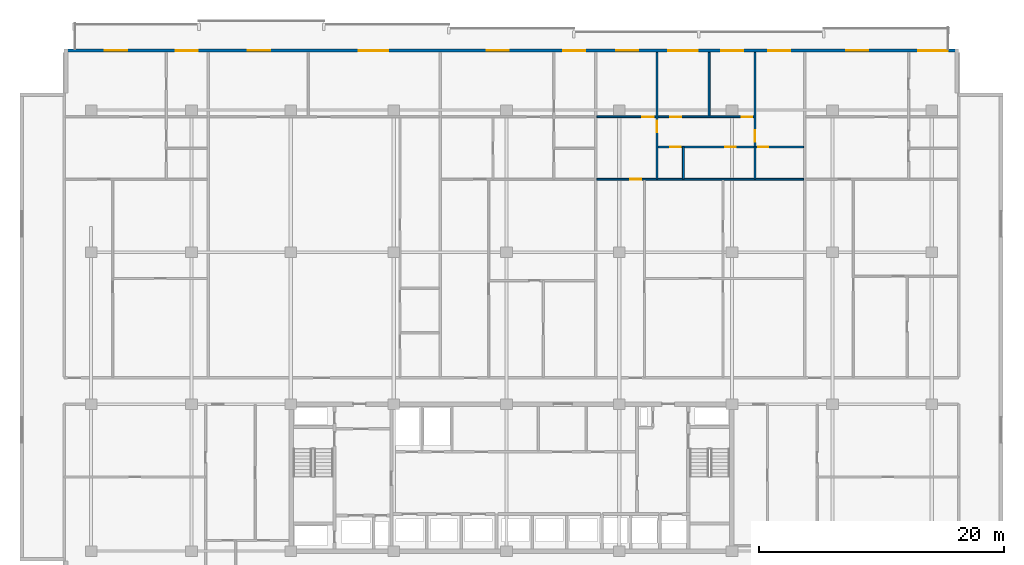
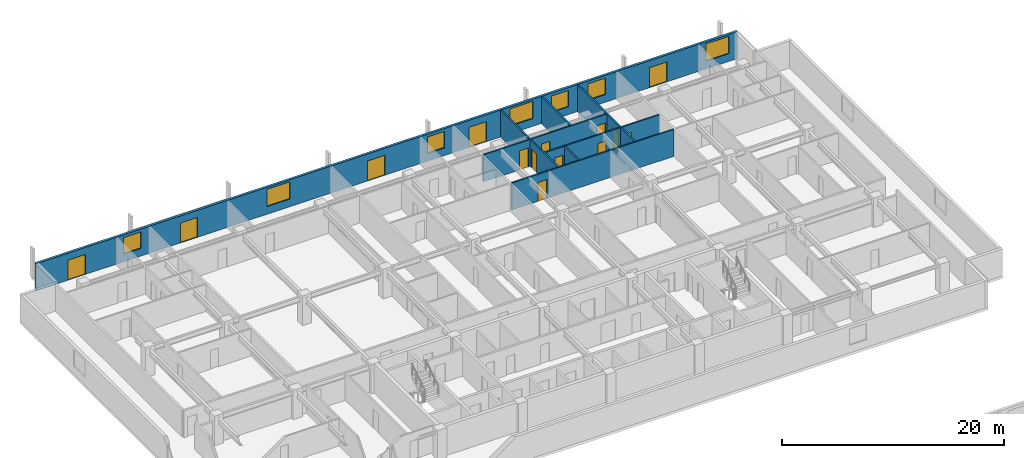
# One storey, part 15 of 22: 14 doors, 9 walls, 7 windows, 21 openings.
"""IFC4 building model written with IfcOpenShell, lengths in metres."""

from ifc_helpers import new_model, si_unit, direction, frame, frame_2d, origin, place, context, subcontext, project, spatial, rectangle, extrude, material, layer, layer_set, type_object, element, fill, save


model = new_model("IFC4")

# Units and contexts
model_context = context("Model", 3, precision=1e-05, world=origin(), true_north=direction((0.0, 1.0)))
body_context = subcontext(model_context, "Body", "Model", "MODEL_VIEW")
ifc_project = project(units=[si_unit("LENGTHUNIT", "METRE"), si_unit("AREAUNIT", "SQUARE_METRE"), si_unit("VOLUMEUNIT", "CUBIC_METRE"), si_unit("PLANEANGLEUNIT", "RADIAN"), si_unit("MASSUNIT", "GRAM", prefix="KILO")], contexts=[model_context])

# Site, building, storey
site_placement = place(None, origin())
site = spatial("IfcSite", under=ifc_project, at=site_placement, CompositionType="ELEMENT")
building_placement = place(site_placement, origin())
building = spatial("IfcBuilding", under=site, at=building_placement, Name="Korimba Cascade Residences", CompositionType="ELEMENT")
storey_placement = place(building_placement, frame((0.0, 0.0, 87.300048828125)))
storey = spatial("IfcBuildingStorey", under=building, at=storey_placement, Name="L24", CompositionType="ELEMENT", Elevation=87.300048828125)

# Wall, openings, doors, windows
ifc_material_1 = material(Name="Precast concrete C40/50", Category="concrete")
ifc_layer_1 = layer(ifc_material_1, 0.25)
ifc_layer_set_1 = layer_set([ifc_layer_1], Name="Precast concrete C40/50")
wall_type_1 = type_object("IfcWallType", Name="EW-LOG-250", PredefinedType="STANDARD", material=ifc_layer_set_1)
wall_1_placement = place(storey_placement, frame((130.60009765625, 96.050048828125, 0.0), z_axis=(0.0, 0.0, 1.0), x_axis=(-1.0, 0.0, 0.0)))
wall_1 = element("IfcWall", 1, at=wall_1_placement, inside=storey, type_object=wall_type_1, Name="L24 T1 Perimeter Stone Wall E06", PredefinedType="STANDARD", context=body_context, shape_type="SweptSolid", body=[
    extrude(rectangle(XDim=73.0, YDim=0.25, at=frame_2d((36.5, 0.0))), origin(), (0.0, 0.0, 1.0), 2.969970703125),
])
opening_1_placement = place(wall_1_placement, frame((67.86669921875, 0.0, 0.0)))
opening_1 = element("IfcOpeningElement", 2, at=opening_1_placement, cuts=wall_1, Name="Opening D-LG1", PredefinedType="OPENING", context=body_context, shape_type="SweptSolid", body=[
    extrude(rectangle(XDim=1.800048828125, YDim=2.199951171875, at=frame_2d((0.89990234375, 1.10009765625))), frame((0.0, 0.135009765625, 0.0), z_axis=(0.0, -1.0, 0.0), x_axis=(1.0, 0.0, 0.0)), (0.0, 0.0, 1.0), 0.27001953125),
])
opening_2_placement = place(wall_1_placement, frame((62.103271484375, 0.0, 0.85009765625)))
opening_2 = element("IfcOpeningElement", 3, at=opening_2_placement, cuts=wall_1, Name="Opening W-02", PredefinedType="OPENING", context=body_context, shape_type="SweptSolid", body=[
    extrude(rectangle(XDim=1.800048828125, YDim=1.800048828125, at=frame_2d((0.89990234375, 0.89990234375))), frame((0.0, 0.135009765625, 0.0), z_axis=(0.0, -1.0, 0.0), x_axis=(1.0, 0.0, 0.0)), (0.0, 0.0, 1.0), 0.27001953125),
])
opening_3_placement = place(wall_1_placement, frame((56.1962890625, 0.0, 0.0)))
opening_3 = element("IfcOpeningElement", 4, at=opening_3_placement, cuts=wall_1, Name="Opening D-LG1", PredefinedType="OPENING", context=body_context, shape_type="SweptSolid", body=[
    extrude(rectangle(XDim=1.800048828125, YDim=2.199951171875, at=frame_2d((0.89990234375, 1.10009765625))), frame((0.0, 0.135009765625, 0.0), z_axis=(0.0, -1.0, 0.0), x_axis=(1.0, 0.0, 0.0)), (0.0, 0.0, 1.0), 0.27001953125),
])
opening_4_placement = place(wall_1_placement, frame((46.557373046875, 0.0, 0.85009765625)))
opening_4 = element("IfcOpeningElement", 5, at=opening_4_placement, cuts=wall_1, Name="Opening W-01", PredefinedType="OPENING", context=body_context, shape_type="SweptSolid", body=[
    extrude(rectangle(XDim=2.39990234375, YDim=1.89990234375, at=frame_2d((1.199951171875, 0.949951171875))), frame((0.0, 0.135009765625, 0.0), z_axis=(0.0, -1.0, 0.0), x_axis=(1.0, 0.0, 0.0)), (0.0, 0.0, 1.0), 0.27001953125),
])
opening_5_placement = place(wall_1_placement, frame((36.714111328125, 0.0, 0.0)))
opening_5 = element("IfcOpeningElement", 6, at=opening_5_placement, cuts=wall_1, Name="Opening D-LG1", PredefinedType="OPENING", context=body_context, shape_type="SweptSolid", body=[
    extrude(rectangle(XDim=1.800048828125, YDim=2.199951171875, at=frame_2d((0.89990234375, 1.10009765625))), frame((0.0, 0.135009765625, 0.0), z_axis=(0.0, -1.0, 0.0), x_axis=(1.0, 0.0, 0.0)), (0.0, 0.0, 1.0), 0.27001953125),
])
opening_6_placement = place(wall_1_placement, frame((30.48291015625, 0.0, 0.85009765625)))
opening_6 = element("IfcOpeningElement", 7, at=opening_6_placement, cuts=wall_1, Name="Opening W-02", PredefinedType="OPENING", context=body_context, shape_type="SweptSolid", body=[
    extrude(rectangle(XDim=1.800048828125, YDim=1.800048828125, at=frame_2d((0.89990234375, 0.89990234375))), frame((0.0, 0.135009765625, 0.0), z_axis=(0.0, -1.0, 0.0), x_axis=(1.0, 0.0, 0.0)), (0.0, 0.0, 1.0), 0.27001953125),
])
opening_7_placement = place(wall_1_placement, frame((21.28955078125, 0.0, 0.85009765625)))
opening_7 = element("IfcOpeningElement", 8, at=opening_7_placement, cuts=wall_1, Name="Opening W-01", PredefinedType="OPENING", context=body_context, shape_type="SweptSolid", body=[
    extrude(rectangle(XDim=2.39990234375, YDim=1.89990234375, at=frame_2d((1.199951171875, 0.949951171875))), frame((0.0, 0.135009765625, 0.0), z_axis=(0.0, -1.0, 0.0), x_axis=(1.0, 0.0, 0.0)), (0.0, 0.0, 1.0), 0.27001953125),
])
opening_8_placement = place(wall_1_placement, frame((17.59326171875, 0.0, 0.85009765625)))
opening_8 = element("IfcOpeningElement", 9, at=opening_8_placement, cuts=wall_1, Name="Opening W-02", PredefinedType="OPENING", context=body_context, shape_type="SweptSolid", body=[
    extrude(rectangle(XDim=1.800048828125, YDim=1.800048828125, at=frame_2d((0.89990234375, 0.89990234375))), frame((0.0, 0.135009765625, 0.0), z_axis=(0.0, -1.0, 0.0), x_axis=(1.0, 0.0, 0.0)), (0.0, 0.0, 1.0), 0.27001953125),
])
opening_9_placement = place(wall_1_placement, frame((26.15283203125, 0.0, 0.0)))
opening_9 = element("IfcOpeningElement", 10, at=opening_9_placement, cuts=wall_1, Name="Opening D-LG1", PredefinedType="OPENING", context=body_context, shape_type="SweptSolid", body=[
    extrude(rectangle(XDim=1.800048828125, YDim=2.199951171875, at=frame_2d((0.89990234375, 1.10009765625))), frame((0.0, 0.135009765625, 0.0), z_axis=(0.0, -1.0, 0.0), x_axis=(1.0, 0.0, 0.0)), (0.0, 0.0, 1.0), 0.27001953125),
])
opening_10_placement = place(wall_1_placement, frame((13.75341796875, 0.0, 0.85009765625)))
opening_10 = element("IfcOpeningElement", 11, at=opening_10_placement, cuts=wall_1, Name="Opening W-02", PredefinedType="OPENING", context=body_context, shape_type="SweptSolid", body=[
    extrude(rectangle(XDim=1.800048828125, YDim=1.800048828125, at=frame_2d((0.89990234375, 0.89990234375))), frame((0.0, 0.135009765625, 0.0), z_axis=(0.0, -1.0, 0.0), x_axis=(1.0, 0.0, 0.0)), (0.0, 0.0, 1.0), 0.27001953125),
])
opening_11_placement = place(wall_1_placement, frame((7.36328125, 0.0, 0.0)))
opening_11 = element("IfcOpeningElement", 12, at=opening_11_placement, cuts=wall_1, Name="Opening D-LG1", PredefinedType="OPENING", context=body_context, shape_type="SweptSolid", body=[
    extrude(rectangle(XDim=1.800048828125, YDim=2.199951171875, at=frame_2d((0.89990234375, 1.10009765625))), frame((0.0, 0.135009765625, 0.0), z_axis=(0.0, -1.0, 0.0), x_axis=(1.0, 0.0, 0.0)), (0.0, 0.0, 1.0), 0.27001953125),
])
opening_12_placement = place(wall_1_placement, frame((0.89990234375, 0.0, 0.85009765625)))
opening_12 = element("IfcOpeningElement", 13, at=opening_12_placement, cuts=wall_1, Name="Opening W-01", PredefinedType="OPENING", context=body_context, shape_type="SweptSolid", body=[
    extrude(rectangle(XDim=2.39990234375, YDim=1.89990234375, at=frame_2d((1.199951171875, 0.949951171875))), frame((0.0, 0.135009765625, 0.0), z_axis=(0.0, -1.0, 0.0), x_axis=(1.0, 0.0, 0.0)), (0.0, 0.0, 1.0), 0.27001953125),
])
ifc_material_2 = material(Name="Glazed Aluminium Loggia Sliding Door", Category="aluminium")
door_type_1 = type_object("IfcDoorType", Name="DR-EXT-LOG", OperationType="NOTDEFINED", PredefinedType="DOOR", material=ifc_material_2)
door_1_placement = place(opening_1_placement, origin())
door_1 = element("IfcDoor", 14, at=door_1_placement, inside=storey, type_object=door_type_1, Name="L24 T1 Loggia Sliding Door 3", OperationType="SLIDING_TO_LEFT", OverallHeight=2.199951171875, OverallWidth=1.800048828125, PredefinedType="DOOR", context=body_context, shape_type="SweptSolid", body=[
    extrude(rectangle(XDim=1.800048828125, YDim=2.199951171875, at=frame_2d((0.89990234375, 1.10009765625))), frame((0.0, 0.02490234375, 0.0), z_axis=(0.0, -1.0, 0.0), x_axis=(1.0, 0.0, 0.0)), (0.0, 0.0, 1.0), 0.050048828125),
])
fill(opening_1, door_1)
door_2_placement = place(opening_3_placement, origin())
door_2 = element("IfcDoor", 15, at=door_2_placement, inside=storey, type_object=door_type_1, Name="L24 T1 Loggia Sliding Door 5", OperationType="SLIDING_TO_LEFT", OverallHeight=2.199951171875, OverallWidth=1.800048828125, PredefinedType="DOOR", context=body_context, shape_type="SweptSolid", body=[
    extrude(rectangle(XDim=1.800048828125, YDim=2.199951171875, at=frame_2d((0.89990234375, 1.10009765625))), frame((0.0, 0.02490234375, 0.0), z_axis=(0.0, -1.0, 0.0), x_axis=(1.0, 0.0, 0.0)), (0.0, 0.0, 1.0), 0.050048828125),
])
fill(opening_3, door_2)
door_3_placement = place(opening_5_placement, origin())
door_3 = element("IfcDoor", 16, at=door_3_placement, inside=storey, type_object=door_type_1, Name="L24 T1 Loggia Sliding Door 7", OperationType="SLIDING_TO_LEFT", OverallHeight=2.199951171875, OverallWidth=1.800048828125, PredefinedType="DOOR", context=body_context, shape_type="SweptSolid", body=[
    extrude(rectangle(XDim=1.800048828125, YDim=2.199951171875, at=frame_2d((0.89990234375, 1.10009765625))), frame((0.0, 0.02490234375, 0.0), z_axis=(0.0, -1.0, 0.0), x_axis=(1.0, 0.0, 0.0)), (0.0, 0.0, 1.0), 0.050048828125),
])
fill(opening_5, door_3)
door_4_placement = place(opening_9_placement, origin())
door_4 = element("IfcDoor", 17, at=door_4_placement, inside=storey, type_object=door_type_1, Name="L24 T1 Loggia Sliding Door 11", OperationType="SLIDING_TO_LEFT", OverallHeight=2.199951171875, OverallWidth=1.800048828125, PredefinedType="DOOR", context=body_context, shape_type="SweptSolid", body=[
    extrude(rectangle(XDim=1.800048828125, YDim=2.199951171875, at=frame_2d((0.89990234375, 1.10009765625))), frame((0.0, 0.02490234375, 0.0), z_axis=(0.0, -1.0, 0.0), x_axis=(1.0, 0.0, 0.0)), (0.0, 0.0, 1.0), 0.050048828125),
])
fill(opening_9, door_4)
door_5_placement = place(opening_11_placement, origin())
door_5 = element("IfcDoor", 18, at=door_5_placement, inside=storey, type_object=door_type_1, Name="L24 T1 Loggia Sliding Door 13", OperationType="SLIDING_TO_LEFT", OverallHeight=2.199951171875, OverallWidth=1.800048828125, PredefinedType="DOOR", context=body_context, shape_type="SweptSolid", body=[
    extrude(rectangle(XDim=1.800048828125, YDim=2.199951171875, at=frame_2d((0.89990234375, 1.10009765625))), frame((0.0, 0.02490234375, 0.0), z_axis=(0.0, -1.0, 0.0), x_axis=(1.0, 0.0, 0.0)), (0.0, 0.0, 1.0), 0.050048828125),
])
fill(opening_11, door_5)
ifc_material_3 = material(Name="Double-Glazed Aluminium Window", Category="aluminium")
window_type_1 = type_object("IfcWindowType", Name="WIN-BED-1800", PartitioningType="SINGLE_PANEL", PredefinedType="WINDOW", material=ifc_material_3)
window_1_placement = place(opening_2_placement, origin())
window_1 = element("IfcWindow", 19, at=window_1_placement, inside=storey, type_object=window_type_1, Name="L24 T1 North Facade Window 4", OverallHeight=1.800048828125, OverallWidth=1.800048828125, PartitioningType="SINGLE_PANEL", PredefinedType="WINDOW", context=body_context, shape_type="SweptSolid", body=[
    extrude(rectangle(XDim=1.800048828125, YDim=1.800048828125, at=frame_2d((0.89990234375, 0.89990234375))), frame((0.0, 0.030029296875, 0.0), z_axis=(0.0, -1.0, 0.0), x_axis=(1.0, 0.0, 0.0)), (0.0, 0.0, 1.0), 0.06005859375),
])
fill(opening_2, window_1)
window_2_placement = place(opening_6_placement, origin())
window_2 = element("IfcWindow", 20, at=window_2_placement, inside=storey, type_object=window_type_1, Name="L24 T1 North Facade Window 8", OverallHeight=1.800048828125, OverallWidth=1.800048828125, PartitioningType="SINGLE_PANEL", PredefinedType="WINDOW", context=body_context, shape_type="SweptSolid", body=[
    extrude(rectangle(XDim=1.800048828125, YDim=1.800048828125, at=frame_2d((0.89990234375, 0.89990234375))), frame((0.0, 0.030029296875, 0.0), z_axis=(0.0, -1.0, 0.0), x_axis=(1.0, 0.0, 0.0)), (0.0, 0.0, 1.0), 0.06005859375),
])
fill(opening_6, window_2)
window_3_placement = place(opening_8_placement, origin())
window_3 = element("IfcWindow", 21, at=window_3_placement, inside=storey, type_object=window_type_1, Name="L24 T1 North Facade Window 10", OverallHeight=1.800048828125, OverallWidth=1.800048828125, PartitioningType="SINGLE_PANEL", PredefinedType="WINDOW", context=body_context, shape_type="SweptSolid", body=[
    extrude(rectangle(XDim=1.800048828125, YDim=1.800048828125, at=frame_2d((0.89990234375, 0.89990234375))), frame((0.0, 0.030029296875, 0.0), z_axis=(0.0, -1.0, 0.0), x_axis=(1.0, 0.0, 0.0)), (0.0, 0.0, 1.0), 0.06005859375),
])
fill(opening_8, window_3)
window_4_placement = place(opening_10_placement, origin())
window_4 = element("IfcWindow", 22, at=window_4_placement, inside=storey, type_object=window_type_1, Name="L24 T1 North Facade Window 12", OverallHeight=1.800048828125, OverallWidth=1.800048828125, PartitioningType="SINGLE_PANEL", PredefinedType="WINDOW", context=body_context, shape_type="SweptSolid", body=[
    extrude(rectangle(XDim=1.800048828125, YDim=1.800048828125, at=frame_2d((0.89990234375, 0.89990234375))), frame((0.0, 0.030029296875, 0.0), z_axis=(0.0, -1.0, 0.0), x_axis=(1.0, 0.0, 0.0)), (0.0, 0.0, 1.0), 0.06005859375),
])
fill(opening_10, window_4)
window_type_2 = type_object("IfcWindowType", Name="WIN-RES-2400", PartitioningType="DOUBLE_PANEL_VERTICAL", PredefinedType="WINDOW", material=ifc_material_3)
window_5_placement = place(opening_4_placement, origin())
window_5 = element("IfcWindow", 23, at=window_5_placement, inside=storey, type_object=window_type_2, Name="L24 T1 North Facade Window 6", OverallHeight=1.89990234375, OverallWidth=2.39990234375, PartitioningType="DOUBLE_PANEL_VERTICAL", PredefinedType="WINDOW", context=body_context, shape_type="SweptSolid", body=[
    extrude(rectangle(XDim=2.39990234375, YDim=1.89990234375, at=frame_2d((1.199951171875, 0.949951171875))), frame((0.0, 0.030029296875, 0.0), z_axis=(0.0, -1.0, 0.0), x_axis=(1.0, 0.0, 0.0)), (0.0, 0.0, 1.0), 0.06005859375),
])
fill(opening_4, window_5)
window_6_placement = place(opening_7_placement, origin())
window_6 = element("IfcWindow", 24, at=window_6_placement, inside=storey, type_object=window_type_2, Name="L24 T1 North Facade Window 9", OverallHeight=1.89990234375, OverallWidth=2.39990234375, PartitioningType="DOUBLE_PANEL_VERTICAL", PredefinedType="WINDOW", context=body_context, shape_type="SweptSolid", body=[
    extrude(rectangle(XDim=2.39990234375, YDim=1.89990234375, at=frame_2d((1.199951171875, 0.949951171875))), frame((0.0, 0.030029296875, 0.0), z_axis=(0.0, -1.0, 0.0), x_axis=(1.0, 0.0, 0.0)), (0.0, 0.0, 1.0), 0.06005859375),
])
fill(opening_7, window_6)
window_7_placement = place(opening_12_placement, origin())
window_7 = element("IfcWindow", 25, at=window_7_placement, inside=storey, type_object=window_type_2, Name="L24 T1 North Facade Window 14", OverallHeight=1.89990234375, OverallWidth=2.39990234375, PartitioningType="DOUBLE_PANEL_VERTICAL", PredefinedType="WINDOW", context=body_context, shape_type="SweptSolid", body=[
    extrude(rectangle(XDim=2.39990234375, YDim=1.89990234375, at=frame_2d((1.199951171875, 0.949951171875))), frame((0.0, 0.030029296875, 0.0), z_axis=(0.0, -1.0, 0.0), x_axis=(1.0, 0.0, 0.0)), (0.0, 0.0, 1.0), 0.06005859375),
])
fill(opening_12, window_7)

# Walls
ifc_material_4 = material(Name="Insulated Acoustic Stud Partition", Category="gypsum")
ifc_layer_2 = layer(ifc_material_4, 0.14990234375)
ifc_layer_set_2 = layer_set([ifc_layer_2], Name="Insulated Acoustic Stud Partition")
wall_type_2 = type_object("IfcWallType", Name="WAL-PART-150", PredefinedType="PARTITIONING", material=ifc_layer_set_2)
wall_2_placement = place(storey_placement, frame((108.13720703125, 85.590087890625, 0.0), z_axis=(0.0, 0.0, 1.0), x_axis=(0.0, 1.0, 0.0)))
element("IfcWall", 26, at=wall_2_placement, inside=storey, type_object=wall_type_2, Name="L24 Partition Wall WAL-L24-T1-U04-VDRS", PredefinedType="PARTITIONING", context=body_context, shape_type="SweptSolid", body=[
    extrude(rectangle(XDim=2.579833984375, YDim=0.14990234375, at=frame_2d((1.2900390625, 0.0))), origin(), (0.0, 0.0, 1.0), 2.969970703125),
])
wall_3_placement = place(storey_placement, frame((110.233642578125, 90.72998046875, 0.0), z_axis=(0.0, 0.0, 1.0), x_axis=(0.0, 1.0, 0.0)))
element("IfcWall", 27, at=wall_3_placement, inside=storey, type_object=wall_type_2, Name="L24 Partition Wall WAL-L24-T1-U04-VSTD", PredefinedType="PARTITIONING", context=body_context, shape_type="SweptSolid", body=[
    extrude(rectangle(XDim=5.169921875, YDim=0.14990234375, at=frame_2d((2.5849609375, 0.0))), origin(), (0.0, 0.0, 1.0), 2.969970703125),
])

# Wall, opening, door
wall_4_placement = place(storey_placement, frame((105.9873046875, 85.590087890625, 0.0), z_axis=(0.0, 0.0, 1.0), x_axis=(0.0, 1.0, 0.0)))
wall_4 = element("IfcWall", 28, at=wall_4_placement, inside=storey, type_object=wall_type_2, Name="L24 Partition Wall WAL-L24-T1-U04-V1", PredefinedType="PARTITIONING", context=body_context, shape_type="SweptSolid", body=[
    extrude(rectangle(XDim=10.309814453125, YDim=0.14990234375, at=frame_2d((5.15478515625, 0.0))), origin(), (0.0, 0.0, 1.0), 2.969970703125),
])
opening_13_placement = place(wall_4_placement, frame((3.820068359375, 0.0, 0.0)))
opening_13 = element("IfcOpeningElement", 29, at=opening_13_placement, cuts=wall_4, Name="Opening D-IN1", PredefinedType="OPENING", context=body_context, shape_type="SweptSolid", body=[
    extrude(rectangle(XDim=0.919921875, YDim=2.080078125, at=frame_2d((0.4599609375, 1.0400390625))), frame((0.0, 0.0849609375, 0.0), z_axis=(0.0, -1.0, 0.0), x_axis=(1.0, 0.0, 0.0)), (0.0, 0.0, 1.0), 0.169921875),
])
ifc_material_5 = material(Name="Acoustic Timber Living Door", Category="wood")
door_type_2 = type_object("IfcDoorType", Name="DR-INT-920", OperationType="NOTDEFINED", PredefinedType="DOOR", material=ifc_material_5)
door_6_placement = place(opening_13_placement, origin())
door_6 = element("IfcDoor", 30, at=door_6_placement, inside=storey, type_object=door_type_2, Name="L24-T1-U04 Hallway Door", OperationType="SINGLE_SWING_RIGHT", OverallHeight=2.080078125, OverallWidth=0.919921875, PredefinedType="DOOR", context=body_context, shape_type="SweptSolid", body=[
    extrude(rectangle(XDim=0.919921875, YDim=2.080078125, at=frame_2d((0.4599609375, 1.0400390625))), frame((0.0, 0.02490234375, 0.0), z_axis=(0.0, -1.0, 0.0), x_axis=(1.0, 0.0, 0.0)), (0.0, 0.0, 1.0), 0.050048828125),
])
fill(opening_13, door_6)

# Wall
wall_5_placement = place(storey_placement, frame((113.97998046875, 85.590087890625, 0.0), z_axis=(0.0, 0.0, 1.0), x_axis=(0.0, 1.0, 0.0)))
element("IfcWall", 31, at=wall_5_placement, inside=storey, type_object=wall_type_2, Name="L24 Partition Wall WAL-L24-T1-U04-VBATH", PredefinedType="PARTITIONING", context=body_context, shape_type="SweptSolid", body=[
    extrude(rectangle(XDim=2.579833984375, YDim=0.14990234375, at=frame_2d((1.2900390625, 0.0))), origin(), (0.0, 0.0, 1.0), 2.969970703125),
])

# Wall, opening, door
wall_6_placement = place(storey_placement, frame((113.97998046875, 88.2099609375, 0.0), z_axis=(0.0, 0.0, 1.0), x_axis=(0.0, 1.0, 0.0)))
wall_6 = element("IfcWall", 32, at=wall_6_placement, inside=storey, type_object=wall_type_2, Name="L24 Partition Wall WAL-L24-T1-U04-V2FULL", PredefinedType="PARTITIONING", context=body_context, shape_type="SweptSolid", body=[
    extrude(rectangle(XDim=7.68994140625, YDim=0.14990234375, at=frame_2d((3.844970703125, 0.0))), origin(), (0.0, 0.0, 1.0), 2.969970703125),
])
opening_14_placement = place(wall_6_placement, frame((0.410400390625, 0.0, 0.0)))
opening_14 = element("IfcOpeningElement", 33, at=opening_14_placement, cuts=wall_6, Name="Opening D-IN1", PredefinedType="OPENING", context=body_context, shape_type="SweptSolid", body=[
    extrude(rectangle(XDim=0.919921875, YDim=2.080078125, at=frame_2d((0.4599609375, 1.0400390625))), frame((0.0, 0.0849609375, 0.0), z_axis=(0.0, -1.0, 0.0), x_axis=(1.0, 0.0, 0.0)), (0.0, 0.0, 1.0), 0.169921875),
])
door_7_placement = place(opening_14_placement, origin())
door_7 = element("IfcDoor", 34, at=door_7_placement, inside=storey, type_object=door_type_2, Name="L24-T1-U04 Master Bedroom Door", OperationType="SINGLE_SWING_LEFT", OverallHeight=2.080078125, OverallWidth=0.919921875, PredefinedType="DOOR", context=body_context, shape_type="SweptSolid", body=[
    extrude(rectangle(XDim=0.919921875, YDim=2.080078125, at=frame_2d((0.4599609375, 1.0400390625))), frame((0.0, 0.02490234375, 0.0), z_axis=(0.0, -1.0, 0.0), x_axis=(1.0, 0.0, 0.0)), (0.0, 0.0, 1.0), 0.050048828125),
])
fill(opening_14, door_7)

# Wall, openings, doors
wall_7_placement = place(storey_placement, frame((106.027099609375, 88.18994140625, 0.0), z_axis=(0.0, 0.0, 1.0), x_axis=(1.0, 0.0, 0.0)))
wall_7 = element("IfcWall", 35, at=wall_7_placement, inside=storey, type_object=wall_type_2, Name="L24 Partition Wall WAL-L24-T1-U04-HWALL", PredefinedType="PARTITIONING", context=body_context, shape_type="SweptSolid", body=[
    extrude(rectangle(XDim=11.92626953125, YDim=0.14990234375, at=frame_2d((5.963134765625, 0.0))), origin(), (0.0, 0.0, 1.0), 2.969970703125),
])
opening_15_placement = place(wall_7_placement, frame((1.050048828125, 0.0, 0.0)))
opening_15 = element("IfcOpeningElement", 36, at=opening_15_placement, cuts=wall_7, Name="Opening D-BT1", PredefinedType="OPENING", context=body_context, shape_type="SweptSolid", body=[
    extrude(rectangle(XDim=0.840087890625, YDim=2.0400390625, at=frame_2d((0.419921875, 1.02001953125))), frame((0.0, 0.0849609375, 0.0), z_axis=(0.0, -1.0, 0.0), x_axis=(1.0, 0.0, 0.0)), (0.0, 0.0, 1.0), 0.169921875),
])
opening_16_placement = place(wall_7_placement, frame((5.543212890625, 0.0, 0.0)))
opening_16 = element("IfcOpeningElement", 37, at=opening_16_placement, cuts=wall_7, Name="Opening D-BT1", PredefinedType="OPENING", context=body_context, shape_type="SweptSolid", body=[
    extrude(rectangle(XDim=0.840087890625, YDim=2.0400390625, at=frame_2d((0.419921875, 1.02001953125))), frame((0.0, 0.0849609375, 0.0), z_axis=(0.0, -1.0, 0.0), x_axis=(1.0, 0.0, 0.0)), (0.0, 0.0, 1.0), 0.169921875),
])
opening_17_placement = place(wall_7_placement, frame((8.202880859375, 0.0, 0.0)))
opening_17 = element("IfcOpeningElement", 38, at=opening_17_placement, cuts=wall_7, Name="Opening D-BT1", PredefinedType="OPENING", context=body_context, shape_type="SweptSolid", body=[
    extrude(rectangle(XDim=0.840087890625, YDim=2.0400390625, at=frame_2d((0.419921875, 1.02001953125))), frame((0.0, 0.0849609375, 0.0), z_axis=(0.0, -1.0, 0.0), x_axis=(1.0, 0.0, 0.0)), (0.0, 0.0, 1.0), 0.169921875),
])
ifc_material_6 = material(Name="Moisture-Resistant Bathroom Timber Door", Category="wood")
door_type_3 = type_object("IfcDoorType", Name="DR-INT-850", OperationType="NOTDEFINED", PredefinedType="DOOR", material=ifc_material_6)
door_8_placement = place(opening_15_placement, origin())
door_8 = element("IfcDoor", 39, at=door_8_placement, inside=storey, type_object=door_type_3, Name="L24-T1-U04 Family Bathroom Door", OperationType="SINGLE_SWING_RIGHT", OverallHeight=2.0400390625, OverallWidth=0.840087890625, PredefinedType="DOOR", context=body_context, shape_type="SweptSolid", body=[
    extrude(rectangle(XDim=0.840087890625, YDim=2.0400390625, at=frame_2d((0.419921875, 1.02001953125))), frame((0.0, 0.02490234375, 0.0), z_axis=(0.0, -1.0, 0.0), x_axis=(1.0, 0.0, 0.0)), (0.0, 0.0, 1.0), 0.050048828125),
])
fill(opening_15, door_8)
door_9_placement = place(opening_16_placement, origin())
door_9 = element("IfcDoor", 40, at=door_9_placement, inside=storey, type_object=door_type_3, Name="L24-T1-U04 Dressing Room Door", OperationType="SINGLE_SWING_LEFT", OverallHeight=2.0400390625, OverallWidth=0.840087890625, PredefinedType="DOOR", context=body_context, shape_type="SweptSolid", body=[
    extrude(rectangle(XDim=0.840087890625, YDim=2.0400390625, at=frame_2d((0.419921875, 1.02001953125))), frame((0.0, 0.02490234375, 0.0), z_axis=(0.0, -1.0, 0.0), x_axis=(1.0, 0.0, 0.0)), (0.0, 0.0, 1.0), 0.050048828125),
])
fill(opening_16, door_9)
door_10_placement = place(opening_17_placement, origin())
door_10 = element("IfcDoor", 41, at=door_10_placement, inside=storey, type_object=door_type_3, Name="L24-T1-U04 En-Suite Door", OperationType="SINGLE_SWING_RIGHT", OverallHeight=2.0400390625, OverallWidth=0.840087890625, PredefinedType="DOOR", context=body_context, shape_type="SweptSolid", body=[
    extrude(rectangle(XDim=0.840087890625, YDim=2.0400390625, at=frame_2d((0.419921875, 1.02001953125))), frame((0.0, 0.02490234375, 0.0), z_axis=(0.0, -1.0, 0.0), x_axis=(1.0, 0.0, 0.0)), (0.0, 0.0, 1.0), 0.050048828125),
])
fill(opening_17, door_10)

# Wall, opening, door
wall_8_placement = place(storey_placement, frame((101.067138671875, 85.550048828125, 0.0), z_axis=(0.0, 0.0, 1.0), x_axis=(1.0, 0.0, 0.0)))
wall_8 = element("IfcWall", 42, at=wall_8_placement, inside=storey, type_object=wall_type_2, Name="L24 Partition Wall WAL-L24-T1-U04-MW", PredefinedType="PARTITIONING", context=body_context, shape_type="SweptSolid", body=[
    extrude(rectangle(XDim=16.88623046875, YDim=0.14990234375, at=frame_2d((8.443115234375, 0.0))), origin(), (0.0, 0.0, 1.0), 2.969970703125),
])
opening_18_placement = place(wall_8_placement, frame((2.719970703125, 0.0, 0.0)))
opening_18 = element("IfcOpeningElement", 43, at=opening_18_placement, cuts=wall_8, Name="Opening D-IN1", PredefinedType="OPENING", context=body_context, shape_type="SweptSolid", body=[
    extrude(rectangle(XDim=0.919921875, YDim=2.080078125, at=frame_2d((0.4599609375, 1.0400390625))), frame((0.0, 0.0849609375, 0.0), z_axis=(0.0, -1.0, 0.0), x_axis=(1.0, 0.0, 0.0)), (0.0, 0.0, 1.0), 0.169921875),
])
door_11_placement = place(opening_18_placement, origin())
door_11 = element("IfcDoor", 44, at=door_11_placement, inside=storey, type_object=door_type_2, Name="L24-T1-U04 Kitchen Door", OperationType="SINGLE_SWING_LEFT", OverallHeight=2.080078125, OverallWidth=0.919921875, PredefinedType="DOOR", context=body_context, shape_type="SweptSolid", body=[
    extrude(rectangle(XDim=0.919921875, YDim=2.080078125, at=frame_2d((0.4599609375, 1.0400390625))), frame((0.0, 0.02490234375, 0.0), z_axis=(0.0, -1.0, 0.0), x_axis=(1.0, 0.0, 0.0)), (0.0, 0.0, 1.0), 0.050048828125),
])
fill(opening_18, door_11)

# Wall, openings, doors
wall_9_placement = place(storey_placement, frame((101.067138671875, 90.64990234375, 0.0), z_axis=(0.0, 0.0, 1.0), x_axis=(1.0, 0.0, 0.0)))
wall_9 = element("IfcWall", 45, at=wall_9_placement, inside=storey, type_object=wall_type_2, Name="L24 Partition Wall WAL-L24-T1-U04-HZ", PredefinedType="PARTITIONING", context=body_context, shape_type="SweptSolid", body=[
    extrude(rectangle(XDim=12.912841796875, YDim=0.14990234375, at=frame_2d((6.45654296875, 0.0))), origin(), (0.0, 0.0, 1.0), 2.969970703125),
])
opening_19_placement = place(wall_9_placement, frame((3.72998046875, 0.0, 0.0)))
opening_19 = element("IfcOpeningElement", 46, at=opening_19_placement, cuts=wall_9, Name="Opening D-IN0", PredefinedType="OPENING", context=body_context, shape_type="SweptSolid", body=[
    extrude(rectangle(XDim=0.93994140625, YDim=2.10009765625, at=frame_2d((0.469970703125, 1.050048828125))), frame((0.0, 0.0849609375, 0.0), z_axis=(0.0, -1.0, 0.0), x_axis=(1.0, 0.0, 0.0)), (0.0, 0.0, 1.0), 0.169921875),
])
opening_20_placement = place(wall_9_placement, frame((6.016357421875, 0.0, 0.0)))
opening_20 = element("IfcOpeningElement", 47, at=opening_20_placement, cuts=wall_9, Name="Opening D-IN2", PredefinedType="OPENING", context=body_context, shape_type="SweptSolid", body=[
    extrude(rectangle(XDim=0.8798828125, YDim=2.06005859375, at=frame_2d((0.43994140625, 1.030029296875))), frame((0.0, 0.0849609375, 0.0), z_axis=(0.0, -1.0, 0.0), x_axis=(1.0, 0.0, 0.0)), (0.0, 0.0, 1.0), 0.169921875),
])
opening_21_placement = place(wall_9_placement, frame((11.812744140625, 0.0, 0.0)))
opening_21 = element("IfcOpeningElement", 48, at=opening_21_placement, cuts=wall_9, Name="Opening D-IN2", PredefinedType="OPENING", context=body_context, shape_type="SweptSolid", body=[
    extrude(rectangle(XDim=0.8798828125, YDim=2.06005859375, at=frame_2d((0.43994140625, 1.030029296875))), frame((0.0, 0.0849609375, 0.0), z_axis=(0.0, -1.0, 0.0), x_axis=(1.0, 0.0, 0.0)), (0.0, 0.0, 1.0), 0.169921875),
])
ifc_material_7 = material(Name="Acoustic Timber Bedroom Door", Category="wood")
door_type_4 = type_object("IfcDoorType", Name="DR-INT-880", OperationType="NOTDEFINED", PredefinedType="DOOR", material=ifc_material_7)
door_12_placement = place(opening_20_placement, origin())
door_12 = element("IfcDoor", 49, at=door_12_placement, inside=storey, type_object=door_type_4, Name="L24-T1-U04 Bedroom 2 Door", OperationType="SINGLE_SWING_LEFT", OverallHeight=2.06005859375, OverallWidth=0.8798828125, PredefinedType="DOOR", context=body_context, shape_type="SweptSolid", body=[
    extrude(rectangle(XDim=0.8798828125, YDim=2.06005859375, at=frame_2d((0.43994140625, 1.030029296875))), frame((0.0, 0.02490234375, 0.0), z_axis=(0.0, -1.0, 0.0), x_axis=(1.0, 0.0, 0.0)), (0.0, 0.0, 1.0), 0.050048828125),
])
fill(opening_20, door_12)
door_13_placement = place(opening_21_placement, origin())
door_13 = element("IfcDoor", 50, at=door_13_placement, inside=storey, type_object=door_type_4, Name="L24-T1-U04 Study Door", OperationType="SINGLE_SWING_RIGHT", OverallHeight=2.06005859375, OverallWidth=0.8798828125, PredefinedType="DOOR", context=body_context, shape_type="SweptSolid", body=[
    extrude(rectangle(XDim=0.8798828125, YDim=2.06005859375, at=frame_2d((0.43994140625, 1.030029296875))), frame((0.0, 0.02490234375, 0.0), z_axis=(0.0, -1.0, 0.0), x_axis=(1.0, 0.0, 0.0)), (0.0, 0.0, 1.0), 0.050048828125),
])
fill(opening_21, door_13)
ifc_material_8 = material(Name="Acoustic Timber Living Archway Door", Category="wood")
door_type_5 = type_object("IfcDoorType", Name="DR-INT-950", OperationType="NOTDEFINED", PredefinedType="DOOR", material=ifc_material_8)
door_14_placement = place(opening_19_placement, origin())
door_14 = element("IfcDoor", 51, at=door_14_placement, inside=storey, type_object=door_type_5, Name="L24-T1-U04 Living Room Door", OperationType="SINGLE_SWING_RIGHT", OverallHeight=2.10009765625, OverallWidth=0.93994140625, PredefinedType="DOOR", context=body_context, shape_type="SweptSolid", body=[
    extrude(rectangle(XDim=0.93994140625, YDim=2.10009765625, at=frame_2d((0.469970703125, 1.050048828125))), frame((0.0, 0.02490234375, 0.0), z_axis=(0.0, -1.0, 0.0), x_axis=(1.0, 0.0, 0.0)), (0.0, 0.0, 1.0), 0.050048828125),
])
fill(opening_19, door_14)

save(model, "model.ifc")
